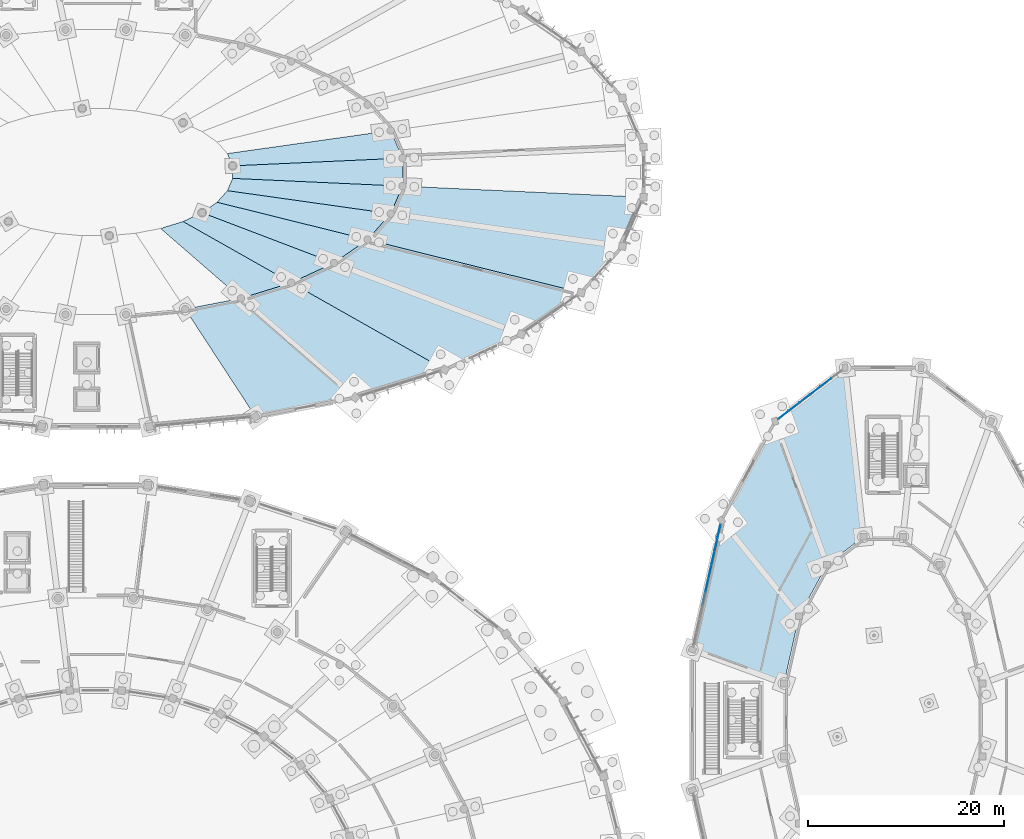
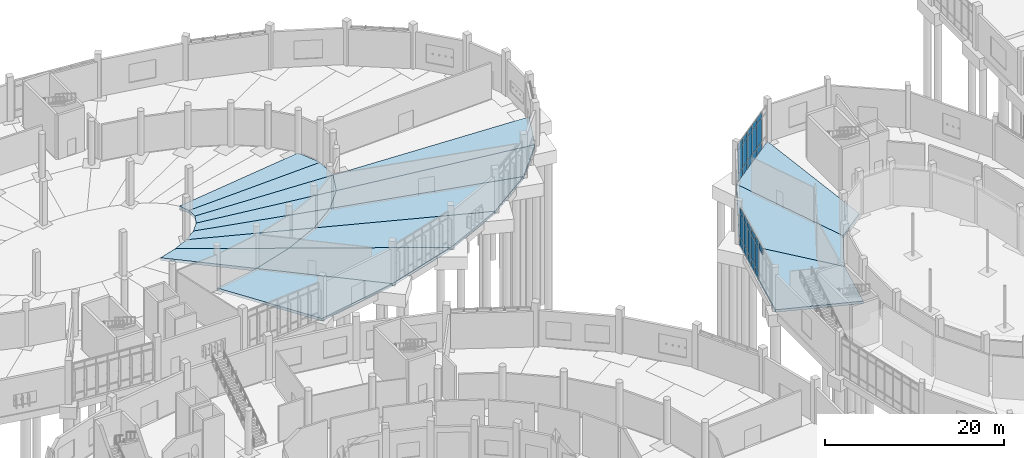
# One storey, part 68 of 140: 31 plates, 16 slabs, 2 elements without a shape of their own.
"""IFC4 building model written with IfcOpenShell, lengths in metres."""

from ifc_helpers import new_model, si_unit, direction, frame, origin, origin_2d, place, context, subcontext, project, spatial, polyline, rectangle, outline, extrude, material, layer, layer_set, type_object, element, aggregate, save


model = new_model("IFC4")

# Units and contexts
model_context = context("Model", 3, precision=1e-05, world=origin(), true_north=direction((0.0, 1.0)))
body_context = subcontext(model_context, "Body", "Model", "MODEL_VIEW")
ifc_project = project(units=[si_unit("LENGTHUNIT", "METRE"), si_unit("AREAUNIT", "SQUARE_METRE"), si_unit("VOLUMEUNIT", "CUBIC_METRE"), si_unit("PLANEANGLEUNIT", "RADIAN"), si_unit("MASSUNIT", "GRAM", prefix="KILO")], contexts=[model_context])

# Site, building, storey
site_placement = place(None, origin())
site = spatial("IfcSite", under=ifc_project, at=site_placement, CompositionType="ELEMENT")
building_placement = place(site_placement, origin())
building = spatial("IfcBuilding", under=site, at=building_placement, Name="Corvandel Quay Wholesale Market", CompositionType="ELEMENT")
storey_placement = place(building_placement, origin())
storey = spatial("IfcBuildingStorey", under=building, at=storey_placement, Name="L00", CompositionType="ELEMENT", Elevation=0.0)

# Curtain wall, plates
ifc_material_1 = material(Name="Bronze anodised aluminium and low-E insulated glazing", Category="aluminium")
ifc_layer_1 = layer(ifc_material_1, 0.162109375)
ifc_layer_set_1 = layer_set([ifc_layer_1], Name="Bronze anodised aluminium and low-E insulated glazing")
curtain_wall_type_1 = type_object("IfcCurtainWallType", Name="Stick Curtain Wall System CW06 H3540", PredefinedType="NOTDEFINED", material=ifc_layer_set_1)
curtain_wall_1_placement = place(storey_placement, origin())
curtain_wall_1 = element("IfcCurtainWall", 1, at=curtain_wall_1_placement, inside=storey, type_object=curtain_wall_type_1, Name="Curtain Wall CW-0133", PredefinedType="NOTDEFINED")
ifc_material_2 = material(Name="Solar-control low-E insulated glazing", Category="glass")
ifc_layer_2 = layer(ifc_material_2, 0.0400390625)
ifc_layer_set_2 = layer_set([ifc_layer_2], Name="Solar-control low-E insulated glazing")
plate_type_1 = type_object("IfcPlateType", Name="Ceramic Fritted Spandrel Panel PN03 40mm", PredefinedType="CURTAIN_PANEL", material=ifc_layer_set_2)
plate_1_placement = place(storey_placement, frame((188.67041015625, 94.50830078125, 4.33251953125), z_axis=(0.0, 0.0, 1.0), x_axis=(0.794308601354, 0.607514481979, 0.0)))
plate_1 = element("IfcPlate", 2, at=plate_1_placement, type_object=plate_type_1, Name="Glazing Panel CW-0133-P01-2", PredefinedType="CURTAIN_PANEL", context=body_context, shape_type="SweptSolid", body=[
    extrude(rectangle(XDim=1.305419921875, YDim=0.0400390625, at=origin_2d()), origin(), (0.0, 0.0, 1.0), 0.784912109375),
])
plate_2_placement = place(storey_placement, frame((187.581787109375, 93.67578125, 4.33251953125), z_axis=(0.0, 0.0, 1.0), x_axis=(0.794308601354, 0.607514481979, 0.0)))
plate_2 = element("IfcPlate", 3, at=plate_2_placement, type_object=plate_type_1, Name="Glazing Panel CW-0133-P02-2", PredefinedType="CURTAIN_PANEL", context=body_context, shape_type="SweptSolid", body=[
    extrude(rectangle(XDim=1.305419921875, YDim=0.0400390625, at=origin_2d()), origin(), (0.0, 0.0, 1.0), 0.784912109375),
])
plate_3_placement = place(storey_placement, frame((186.4931640625, 92.84326171875, 4.33251953125), z_axis=(0.0, 0.0, 1.0), x_axis=(0.794308601354, 0.607514481979, 0.0)))
plate_3 = element("IfcPlate", 4, at=plate_3_placement, type_object=plate_type_1, Name="Glazing Panel CW-0133-P03-2", PredefinedType="CURTAIN_PANEL", context=body_context, shape_type="SweptSolid", body=[
    extrude(rectangle(XDim=1.305419921875, YDim=0.0400390625, at=origin_2d()), origin(), (0.0, 0.0, 1.0), 0.784912109375),
])
plate_4_placement = place(storey_placement, frame((185.40478515625, 92.0107421875, 4.33251953125), z_axis=(0.0, 0.0, 1.0), x_axis=(0.794308601354, 0.607514481979, 0.0)))
plate_4 = element("IfcPlate", 5, at=plate_4_placement, type_object=plate_type_1, Name="Glazing Panel CW-0133-P04-2", PredefinedType="CURTAIN_PANEL", context=body_context, shape_type="SweptSolid", body=[
    extrude(rectangle(XDim=1.305419921875, YDim=0.0400390625, at=origin_2d()), origin(), (0.0, 0.0, 1.0), 0.784912109375),
])
plate_5_placement = place(storey_placement, frame((184.316162109375, 91.17822265625, 4.33251953125), z_axis=(0.0, 0.0, 1.0), x_axis=(0.794308601354, 0.607514481979, 0.0)))
plate_5 = element("IfcPlate", 6, at=plate_5_placement, type_object=plate_type_1, Name="Glazing Panel CW-0133-P05-2", PredefinedType="CURTAIN_PANEL", context=body_context, shape_type="SweptSolid", body=[
    extrude(rectangle(XDim=1.305419921875, YDim=0.0400390625, at=origin_2d()), origin(), (0.0, 0.0, 1.0), 0.784912109375),
])

ifc_layer_3 = layer(ifc_material_1, 0.18603515625)
ifc_layer_set_3 = layer_set([ifc_layer_3], Name="Bronze anodised aluminium and low-E insulated glazing")
curtain_wall_type_2 = type_object("IfcCurtainWallType", Name="Stick Curtain Wall System CW08 H3720", PredefinedType="NOTDEFINED", material=ifc_layer_set_3)
curtain_wall_2_placement = place(storey_placement, origin())
curtain_wall_2 = element("IfcCurtainWall", 7, at=curtain_wall_2_placement, inside=storey, type_object=curtain_wall_type_2, Name="Curtain Wall CW-0135", PredefinedType="NOTDEFINED")
plate_6_placement = place(storey_placement, frame((177.726318359375, 79.31005859375, 4.33251953125), z_axis=(0.0, 0.0, 1.0), x_axis=(0.218994806262, 0.975726024471, 0.0)))
plate_6 = element("IfcPlate", 8, at=plate_6_placement, type_object=plate_type_1, Name="Glazing Panel CW-0135-P00-2", PredefinedType="CURTAIN_PANEL", context=body_context, shape_type="SweptSolid", body=[
    extrude(rectangle(XDim=1.352783203125, YDim=0.0400390625, at=origin_2d()), origin(), (0.0, 0.0, 1.0), 0.784912109375),
])
plate_7_placement = place(storey_placement, frame((177.415771484375, 77.926513671875, 4.33251953125), z_axis=(0.0, 0.0, 1.0), x_axis=(0.218994806262, 0.975726024471, 0.0)))
plate_7 = element("IfcPlate", 9, at=plate_7_placement, type_object=plate_type_1, Name="Glazing Panel CW-0135-P01-2", PredefinedType="CURTAIN_PANEL", context=body_context, shape_type="SweptSolid", body=[
    extrude(rectangle(XDim=1.352783203125, YDim=0.0400390625, at=origin_2d()), origin(), (0.0, 0.0, 1.0), 0.784912109375),
])
plate_8_placement = place(storey_placement, frame((177.105224609375, 76.543212890625, 4.33251953125), z_axis=(0.0, 0.0, 1.0), x_axis=(0.218994806262, 0.975726024471, 0.0)))
plate_8 = element("IfcPlate", 10, at=plate_8_placement, type_object=plate_type_1, Name="Glazing Panel CW-0135-P02-2", PredefinedType="CURTAIN_PANEL", context=body_context, shape_type="SweptSolid", body=[
    extrude(rectangle(XDim=1.352783203125, YDim=0.0400390625, at=origin_2d()), origin(), (0.0, 0.0, 1.0), 0.784912109375),
])
plate_9_placement = place(storey_placement, frame((176.794921875, 75.159912109375, 4.33251953125), z_axis=(0.0, 0.0, 1.0), x_axis=(0.218994806262, 0.975726024471, 0.0)))
plate_9 = element("IfcPlate", 11, at=plate_9_placement, type_object=plate_type_1, Name="Glazing Panel CW-0135-P03-2", PredefinedType="CURTAIN_PANEL", context=body_context, shape_type="SweptSolid", body=[
    extrude(rectangle(XDim=1.352783203125, YDim=0.0400390625, at=origin_2d()), origin(), (0.0, 0.0, 1.0), 0.784912109375),
])
plate_10_placement = place(storey_placement, frame((176.484619140625, 73.776611328125, 4.33251953125), z_axis=(0.0, 0.0, 1.0), x_axis=(0.218994806262, 0.975726024471, 0.0)))
plate_10 = element("IfcPlate", 12, at=plate_10_placement, type_object=plate_type_1, Name="Glazing Panel CW-0135-P04-2", PredefinedType="CURTAIN_PANEL", context=body_context, shape_type="SweptSolid", body=[
    extrude(rectangle(XDim=1.352783203125, YDim=0.0400390625, at=origin_2d()), origin(), (0.0, 0.0, 1.0), 0.784912109375),
])
plate_11_placement = place(storey_placement, frame((176.174072265625, 72.39306640625, 4.33251953125), z_axis=(0.0, 0.0, 1.0), x_axis=(0.218994806262, 0.975726024471, 0.0)))
plate_11 = element("IfcPlate", 13, at=plate_11_placement, type_object=plate_type_1, Name="Glazing Panel CW-0135-P05-2", PredefinedType="CURTAIN_PANEL", context=body_context, shape_type="SweptSolid", body=[
    extrude(rectangle(XDim=1.352783203125, YDim=0.0400390625, at=origin_2d()), origin(), (0.0, 0.0, 1.0), 0.784912109375),
])

# Plate
ifc_layer_4 = layer(ifc_material_2, 0.028076171875)
ifc_layer_set_4 = layer_set([ifc_layer_4], Name="Solar-control low-E insulated glazing")
plate_type_2 = type_object("IfcPlateType", Name="Double Low-E Vision Panel PN01 28mm", PredefinedType="CURTAIN_PANEL", material=ifc_layer_set_4)
plate_12_placement = place(storey_placement, frame((188.67041015625, 94.50830078125, 0.0322265625), z_axis=(0.0, 0.0, 1.0), x_axis=(0.794308601354, 0.607514481979, 0.0)))
plate_12 = element("IfcPlate", 14, at=plate_12_placement, type_object=plate_type_2, Name="Glazing Panel CW-0133-P01-0", PredefinedType="CURTAIN_PANEL", context=body_context, shape_type="SweptSolid", body=[
    extrude(rectangle(XDim=1.305419921875, YDim=0.028076171875, at=origin_2d()), origin(), (0.0, 0.0, 1.0), 0.985107421875),
])

plate_13_placement = place(storey_placement, frame((188.67041015625, 94.50830078125, 1.08251953125), z_axis=(0.0, 0.0, 1.0), x_axis=(0.794308601354, 0.607514481979, 0.0)))
plate_13 = element("IfcPlate", 15, at=plate_13_placement, type_object=plate_type_2, Name="Glazing Panel CW-0133-P01-1", PredefinedType="CURTAIN_PANEL", context=body_context, shape_type="SweptSolid", body=[
    extrude(rectangle(XDim=1.305419921875, YDim=0.028076171875, at=origin_2d()), origin(), (0.0, 0.0, 1.0), 3.18505859375),
])

plate_14_placement = place(storey_placement, frame((187.581787109375, 93.67578125, 0.0322265625), z_axis=(0.0, 0.0, 1.0), x_axis=(0.794308601354, 0.607514481979, 0.0)))
plate_14 = element("IfcPlate", 16, at=plate_14_placement, type_object=plate_type_2, Name="Glazing Panel CW-0133-P02-0", PredefinedType="CURTAIN_PANEL", context=body_context, shape_type="SweptSolid", body=[
    extrude(rectangle(XDim=1.305419921875, YDim=0.028076171875, at=origin_2d()), origin(), (0.0, 0.0, 1.0), 0.985107421875),
])

plate_15_placement = place(storey_placement, frame((187.581787109375, 93.67578125, 1.08251953125), z_axis=(0.0, 0.0, 1.0), x_axis=(0.794308601354, 0.607514481979, 0.0)))
plate_15 = element("IfcPlate", 17, at=plate_15_placement, type_object=plate_type_2, Name="Glazing Panel CW-0133-P02-1", PredefinedType="CURTAIN_PANEL", context=body_context, shape_type="SweptSolid", body=[
    extrude(rectangle(XDim=1.305419921875, YDim=0.028076171875, at=origin_2d()), origin(), (0.0, 0.0, 1.0), 3.18505859375),
])

plate_16_placement = place(storey_placement, frame((186.4931640625, 92.84326171875, 0.0322265625), z_axis=(0.0, 0.0, 1.0), x_axis=(0.794308601354, 0.607514481979, 0.0)))
plate_16 = element("IfcPlate", 18, at=plate_16_placement, type_object=plate_type_2, Name="Glazing Panel CW-0133-P03-0", PredefinedType="CURTAIN_PANEL", context=body_context, shape_type="SweptSolid", body=[
    extrude(rectangle(XDim=1.305419921875, YDim=0.028076171875, at=origin_2d()), origin(), (0.0, 0.0, 1.0), 0.985107421875),
])

plate_17_placement = place(storey_placement, frame((186.4931640625, 92.84326171875, 1.08251953125), z_axis=(0.0, 0.0, 1.0), x_axis=(0.794308601354, 0.607514481979, 0.0)))
plate_17 = element("IfcPlate", 19, at=plate_17_placement, type_object=plate_type_2, Name="Glazing Panel CW-0133-P03-1", PredefinedType="CURTAIN_PANEL", context=body_context, shape_type="SweptSolid", body=[
    extrude(rectangle(XDim=1.305419921875, YDim=0.028076171875, at=origin_2d()), origin(), (0.0, 0.0, 1.0), 3.18505859375),
])

plate_18_placement = place(storey_placement, frame((185.40478515625, 92.0107421875, 0.0322265625), z_axis=(0.0, 0.0, 1.0), x_axis=(0.794308601354, 0.607514481979, 0.0)))
plate_18 = element("IfcPlate", 20, at=plate_18_placement, type_object=plate_type_2, Name="Glazing Panel CW-0133-P04-0", PredefinedType="CURTAIN_PANEL", context=body_context, shape_type="SweptSolid", body=[
    extrude(rectangle(XDim=1.305419921875, YDim=0.028076171875, at=origin_2d()), origin(), (0.0, 0.0, 1.0), 0.985107421875),
])

plate_19_placement = place(storey_placement, frame((185.40478515625, 92.0107421875, 1.08251953125), z_axis=(0.0, 0.0, 1.0), x_axis=(0.794308601354, 0.607514481979, 0.0)))
plate_19 = element("IfcPlate", 21, at=plate_19_placement, type_object=plate_type_2, Name="Glazing Panel CW-0133-P04-1", PredefinedType="CURTAIN_PANEL", context=body_context, shape_type="SweptSolid", body=[
    extrude(rectangle(XDim=1.305419921875, YDim=0.028076171875, at=origin_2d()), origin(), (0.0, 0.0, 1.0), 3.18505859375),
])

plate_20_placement = place(storey_placement, frame((184.316162109375, 91.17822265625, 0.0322265625), z_axis=(0.0, 0.0, 1.0), x_axis=(0.794308601354, 0.607514481979, 0.0)))
plate_20 = element("IfcPlate", 22, at=plate_20_placement, type_object=plate_type_2, Name="Glazing Panel CW-0133-P05-0", PredefinedType="CURTAIN_PANEL", context=body_context, shape_type="SweptSolid", body=[
    extrude(rectangle(XDim=1.305419921875, YDim=0.028076171875, at=origin_2d()), origin(), (0.0, 0.0, 1.0), 0.985107421875),
])

plate_21_placement = place(storey_placement, frame((184.316162109375, 91.17822265625, 1.08251953125), z_axis=(0.0, 0.0, 1.0), x_axis=(0.794308601354, 0.607514481979, 0.0)))
plate_21 = element("IfcPlate", 23, at=plate_21_placement, type_object=plate_type_2, Name="Glazing Panel CW-0133-P05-1", PredefinedType="CURTAIN_PANEL", context=body_context, shape_type="SweptSolid", body=[
    extrude(rectangle(XDim=1.305419921875, YDim=0.028076171875, at=origin_2d()), origin(), (0.0, 0.0, 1.0), 3.18505859375),
])

aggregate(curtain_wall_1, [plate_12, plate_13, plate_1, plate_14, plate_15, plate_2, plate_16, plate_17, plate_3, plate_18, plate_19, plate_4, plate_20, plate_21, plate_5])

plate_22_placement = place(storey_placement, frame((177.726318359375, 79.31005859375, 0.0322265625), z_axis=(0.0, 0.0, 1.0), x_axis=(0.218994806262, 0.975726024471, 0.0)))
plate_22 = element("IfcPlate", 24, at=plate_22_placement, type_object=plate_type_2, Name="Glazing Panel CW-0135-P00-0", PredefinedType="CURTAIN_PANEL", context=body_context, shape_type="SweptSolid", body=[
    extrude(rectangle(XDim=1.352783203125, YDim=0.028076171875, at=origin_2d()), origin(), (0.0, 0.0, 1.0), 0.985107421875),
])

plate_23_placement = place(storey_placement, frame((177.726318359375, 79.31005859375, 1.08251953125), z_axis=(0.0, 0.0, 1.0), x_axis=(0.218994806262, 0.975726024471, 0.0)))
plate_23 = element("IfcPlate", 25, at=plate_23_placement, type_object=plate_type_2, Name="Glazing Panel CW-0135-P00-1", PredefinedType="CURTAIN_PANEL", context=body_context, shape_type="SweptSolid", body=[
    extrude(rectangle(XDim=1.352783203125, YDim=0.028076171875, at=origin_2d()), origin(), (0.0, 0.0, 1.0), 3.18505859375),
])

plate_24_placement = place(storey_placement, frame((177.415771484375, 77.926513671875, 0.0322265625), z_axis=(0.0, 0.0, 1.0), x_axis=(0.218994806262, 0.975726024471, 0.0)))
plate_24 = element("IfcPlate", 26, at=plate_24_placement, type_object=plate_type_2, Name="Glazing Panel CW-0135-P01-0", PredefinedType="CURTAIN_PANEL", context=body_context, shape_type="SweptSolid", body=[
    extrude(rectangle(XDim=1.352783203125, YDim=0.028076171875, at=origin_2d()), origin(), (0.0, 0.0, 1.0), 0.985107421875),
])

plate_25_placement = place(storey_placement, frame((177.415771484375, 77.926513671875, 1.08251953125), z_axis=(0.0, 0.0, 1.0), x_axis=(0.218994806262, 0.975726024471, 0.0)))
plate_25 = element("IfcPlate", 27, at=plate_25_placement, type_object=plate_type_2, Name="Glazing Panel CW-0135-P01-1", PredefinedType="CURTAIN_PANEL", context=body_context, shape_type="SweptSolid", body=[
    extrude(rectangle(XDim=1.352783203125, YDim=0.028076171875, at=origin_2d()), origin(), (0.0, 0.0, 1.0), 3.18505859375),
])

plate_26_placement = place(storey_placement, frame((177.105224609375, 76.543212890625, 0.0322265625), z_axis=(0.0, 0.0, 1.0), x_axis=(0.218994806262, 0.975726024471, 0.0)))
plate_26 = element("IfcPlate", 28, at=plate_26_placement, type_object=plate_type_2, Name="Glazing Panel CW-0135-P02-0", PredefinedType="CURTAIN_PANEL", context=body_context, shape_type="SweptSolid", body=[
    extrude(rectangle(XDim=1.352783203125, YDim=0.028076171875, at=origin_2d()), origin(), (0.0, 0.0, 1.0), 0.985107421875),
])

plate_27_placement = place(storey_placement, frame((177.105224609375, 76.543212890625, 1.08251953125), z_axis=(0.0, 0.0, 1.0), x_axis=(0.218994806262, 0.975726024471, 0.0)))
plate_27 = element("IfcPlate", 29, at=plate_27_placement, type_object=plate_type_2, Name="Glazing Panel CW-0135-P02-1", PredefinedType="CURTAIN_PANEL", context=body_context, shape_type="SweptSolid", body=[
    extrude(rectangle(XDim=1.352783203125, YDim=0.028076171875, at=origin_2d()), origin(), (0.0, 0.0, 1.0), 3.18505859375),
])

plate_28_placement = place(storey_placement, frame((176.794921875, 75.159912109375, 0.0322265625), z_axis=(0.0, 0.0, 1.0), x_axis=(0.218994806262, 0.975726024471, 0.0)))
plate_28 = element("IfcPlate", 30, at=plate_28_placement, type_object=plate_type_2, Name="Glazing Panel CW-0135-P03-0", PredefinedType="CURTAIN_PANEL", context=body_context, shape_type="SweptSolid", body=[
    extrude(rectangle(XDim=1.352783203125, YDim=0.028076171875, at=origin_2d()), origin(), (0.0, 0.0, 1.0), 0.985107421875),
])

plate_29_placement = place(storey_placement, frame((176.794921875, 75.159912109375, 1.08251953125), z_axis=(0.0, 0.0, 1.0), x_axis=(0.218994806262, 0.975726024471, 0.0)))
plate_29 = element("IfcPlate", 31, at=plate_29_placement, type_object=plate_type_2, Name="Glazing Panel CW-0135-P03-1", PredefinedType="CURTAIN_PANEL", context=body_context, shape_type="SweptSolid", body=[
    extrude(rectangle(XDim=1.352783203125, YDim=0.028076171875, at=origin_2d()), origin(), (0.0, 0.0, 1.0), 3.18505859375),
])

plate_30_placement = place(storey_placement, frame((176.484619140625, 73.776611328125, 0.0322265625), z_axis=(0.0, 0.0, 1.0), x_axis=(0.218994806262, 0.975726024471, 0.0)))
plate_30 = element("IfcPlate", 32, at=plate_30_placement, type_object=plate_type_2, Name="Glazing Panel CW-0135-P04-0", PredefinedType="CURTAIN_PANEL", context=body_context, shape_type="SweptSolid", body=[
    extrude(rectangle(XDim=1.352783203125, YDim=0.028076171875, at=origin_2d()), origin(), (0.0, 0.0, 1.0), 0.985107421875),
])

plate_31_placement = place(storey_placement, frame((176.484619140625, 73.776611328125, 1.08251953125), z_axis=(0.0, 0.0, 1.0), x_axis=(0.218994806262, 0.975726024471, 0.0)))
plate_31 = element("IfcPlate", 33, at=plate_31_placement, type_object=plate_type_2, Name="Glazing Panel CW-0135-P04-1", PredefinedType="CURTAIN_PANEL", context=body_context, shape_type="SweptSolid", body=[
    extrude(rectangle(XDim=1.352783203125, YDim=0.028076171875, at=origin_2d()), origin(), (0.0, 0.0, 1.0), 3.18505859375),
])

aggregate(curtain_wall_2, [plate_22, plate_23, plate_6, plate_24, plate_25, plate_7, plate_26, plate_27, plate_8, plate_28, plate_29, plate_9, plate_30, plate_31, plate_10, plate_11])

# Slabs
ifc_material_3 = material(Name="Concrete C40/50", Category="concrete")
ifc_layer_5 = layer(ifc_material_3, 0.35009765625)
ifc_layer_set_5 = layer_set([ifc_layer_5], Name="Concrete C40/50")
slab_type_1 = type_object("IfcSlabType", Name="Ground Bearing Base Slab 350", PredefinedType="BASESLAB", material=ifc_layer_set_5)
slab_1_placement = place(storey_placement, frame((0.0, 0.0, -0.35009765625)))
element("IfcSlab", 34, at=slab_1_placement, inside=storey, type_object=slab_type_1, Name="Slab SLB-0399", PredefinedType="BASESLAB", context=body_context, shape_type="SweptSolid", body=[
    extrude(outline(polyline([(190.62109375, 96.0), (183.4541015625, 90.51904296875), (188.756103515625, 75.8701171875), (192.48291015625, 78.719970703125), (190.62109375, 96.0)])), origin(), (0.0, 0.0, 1.0), 0.35009765625),
])
slab_2_placement = place(storey_placement, frame((0.0, 0.0, -0.35009765625)))
element("IfcSlab", 35, at=slab_2_placement, inside=storey, type_object=slab_type_1, Name="Slab SLB-0403", PredefinedType="BASESLAB", context=body_context, shape_type="SweptSolid", body=[
    extrude(outline(polyline([(183.4541015625, 90.51904296875), (177.968994140625, 80.39208984375), (185.904052734375, 70.60400390625), (188.756103515625, 75.8701171875), (183.4541015625, 90.51904296875)])), origin(), (0.0, 0.0, 1.0), 0.35009765625),
])
slab_3_placement = place(storey_placement, frame((0.0, 0.0, -0.35009765625)))
element("IfcSlab", 36, at=slab_3_placement, inside=storey, type_object=slab_type_1, Name="Slab SLB-0407", PredefinedType="BASESLAB", context=body_context, shape_type="SweptSolid", body=[
    extrude(outline(polyline([(177.968994140625, 80.39208984375), (175.0, 67.160888671875), (184.360107421875, 63.72412109375), (185.904052734375, 70.60400390625), (177.968994140625, 80.39208984375)])), origin(), (0.0, 0.0, 1.0), 0.35009765625),
])
ifc_layer_6 = layer(ifc_material_3, 0.3798828125)
ifc_layer_set_6 = layer_set([ifc_layer_6], Name="Concrete C40/50")
slab_type_2 = type_object("IfcSlabType", Name="Ground Bearing Fish Hall Slab 380", PredefinedType="BASESLAB", material=ifc_layer_set_6)
slab_4_placement = place(storey_placement, frame((0.0, 0.0, -0.3798828125)))
element("IfcSlab", 37, at=slab_4_placement, inside=storey, type_object=slab_type_2, Name="Slab SLB-0211", PredefinedType="BASESLAB", context=body_context, shape_type="SweptSolid", body=[
    extrude(outline(polyline([(145.360107421875, 117.43408203125), (144.155029296875, 120.2470703125), (127.4619140625, 117.89599609375), (128.0, 116.639892578125), (145.360107421875, 117.43408203125)])), origin(), (0.0, 0.0, 1.0), 0.3798828125),
])
slab_5_placement = place(storey_placement, frame((0.0, 0.0, -0.3798828125)))
element("IfcSlab", 38, at=slab_5_placement, inside=storey, type_object=slab_type_2, Name="Slab SLB-0348", PredefinedType="BASESLAB", context=body_context, shape_type="SweptSolid", body=[
    extrude(outline(polyline([(130.3349609375, 90.9990234375), (140.52587890625, 92.958984375), (128.85498046875, 103.096923828125), (123.14697265625, 102.0), (130.3349609375, 90.9990234375)])), origin(), (0.0, 0.0, 1.0), 0.3798828125),
])
slab_6_placement = place(storey_placement, frame((0.0, 0.0, -0.3798828125)))
element("IfcSlab", 39, at=slab_6_placement, inside=storey, type_object=slab_type_2, Name="Slab SLB-0354", PredefinedType="BASESLAB", context=body_context, shape_type="SweptSolid", body=[
    extrude(outline(polyline([(140.52587890625, 92.958984375), (149.697998046875, 95.803955078125), (133.990966796875, 104.69091796875), (128.85498046875, 103.096923828125), (140.52587890625, 92.958984375)])), origin(), (0.0, 0.0, 1.0), 0.3798828125),
])
slab_7_placement = place(storey_placement, frame((0.0, 0.0, -0.3798828125)))
element("IfcSlab", 40, at=slab_7_placement, inside=storey, type_object=slab_type_2, Name="Slab SLB-0355", PredefinedType="BASESLAB", context=body_context, shape_type="SweptSolid", body=[
    extrude(outline(polyline([(128.85498046875, 103.096923828125), (133.990966796875, 104.69091796875), (122.924072265625, 110.950927734375), (120.631103515625, 110.239990234375), (128.85498046875, 103.096923828125)])), origin(), (0.0, 0.0, 1.0), 0.3798828125),
])
slab_8_placement = place(storey_placement, frame((0.0, 0.0, -0.3798828125)))
element("IfcSlab", 41, at=slab_8_placement, inside=storey, type_object=slab_type_2, Name="Slab SLB-0360", PredefinedType="BASESLAB", context=body_context, shape_type="SweptSolid", body=[
    extrude(outline(polyline([(149.697998046875, 95.803955078125), (157.498046875, 99.426025390625), (138.35888671875, 106.718994140625), (133.990966796875, 104.69091796875), (149.697998046875, 95.803955078125)])), origin(), (0.0, 0.0, 1.0), 0.3798828125),
])
slab_9_placement = place(storey_placement, frame((0.0, 0.0, -0.3798828125)))
element("IfcSlab", 42, at=slab_9_placement, inside=storey, type_object=slab_type_2, Name="Slab SLB-0361", PredefinedType="BASESLAB", context=body_context, shape_type="SweptSolid", body=[
    extrude(outline(polyline([(133.990966796875, 104.69091796875), (138.35888671875, 106.718994140625), (124.875, 111.85595703125), (122.924072265625, 110.950927734375), (133.990966796875, 104.69091796875)])), origin(), (0.0, 0.0, 1.0), 0.3798828125),
])
slab_10_placement = place(storey_placement, frame((0.0, 0.0, -0.3798828125)))
element("IfcSlab", 43, at=slab_10_placement, inside=storey, type_object=slab_type_2, Name="Slab SLB-0364", PredefinedType="BASESLAB", context=body_context, shape_type="SweptSolid", body=[
    extrude(outline(polyline([(157.498046875, 99.426025390625), (163.626953125, 103.68408203125), (141.791015625, 109.10302734375), (138.35888671875, 106.718994140625), (157.498046875, 99.426025390625)])), origin(), (0.0, 0.0, 1.0), 0.3798828125),
])
slab_11_placement = place(storey_placement, frame((0.0, 0.0, -0.3798828125)))
element("IfcSlab", 44, at=slab_11_placement, inside=storey, type_object=slab_type_2, Name="Slab SLB-0365", PredefinedType="BASESLAB", context=body_context, shape_type="SweptSolid", body=[
    extrude(outline(polyline([(138.35888671875, 106.718994140625), (141.791015625, 109.10302734375), (126.406982421875, 112.9208984375), (124.875, 111.85595703125), (138.35888671875, 106.718994140625)])), origin(), (0.0, 0.0, 1.0), 0.3798828125),
])
slab_12_placement = place(storey_placement, frame((0.0, 0.0, -0.3798828125)))
element("IfcSlab", 45, at=slab_12_placement, inside=storey, type_object=slab_type_2, Name="Slab SLB-0368", PredefinedType="BASESLAB", context=body_context, shape_type="SweptSolid", body=[
    extrude(outline(polyline([(163.626953125, 103.68408203125), (167.847900390625, 108.416015625), (144.155029296875, 111.7529296875), (141.791015625, 109.10302734375), (163.626953125, 103.68408203125)])), origin(), (0.0, 0.0, 1.0), 0.3798828125),
])
slab_13_placement = place(storey_placement, frame((0.0, 0.0, -0.3798828125)))
element("IfcSlab", 46, at=slab_13_placement, inside=storey, type_object=slab_type_2, Name="Slab SLB-0369", PredefinedType="BASESLAB", context=body_context, shape_type="SweptSolid", body=[
    extrude(outline(polyline([(141.791015625, 109.10302734375), (144.155029296875, 111.7529296875), (127.4619140625, 114.10400390625), (126.406982421875, 112.9208984375), (141.791015625, 109.10302734375)])), origin(), (0.0, 0.0, 1.0), 0.3798828125),
])
slab_14_placement = place(storey_placement, frame((0.0, 0.0, -0.3798828125)))
element("IfcSlab", 47, at=slab_14_placement, inside=storey, type_object=slab_type_2, Name="Slab SLB-0372", PredefinedType="BASESLAB", context=body_context, shape_type="SweptSolid", body=[
    extrude(outline(polyline([(167.847900390625, 108.416015625), (170.0, 113.43896484375), (145.360107421875, 114.56591796875), (144.155029296875, 111.7529296875), (167.847900390625, 108.416015625)])), origin(), (0.0, 0.0, 1.0), 0.3798828125),
])
slab_15_placement = place(storey_placement, frame((0.0, 0.0, -0.3798828125)))
element("IfcSlab", 48, at=slab_15_placement, inside=storey, type_object=slab_type_2, Name="Slab SLB-0373", PredefinedType="BASESLAB", context=body_context, shape_type="SweptSolid", body=[
    extrude(outline(polyline([(144.155029296875, 111.7529296875), (145.360107421875, 114.56591796875), (128.0, 115.360107421875), (127.4619140625, 114.10400390625), (144.155029296875, 111.7529296875)])), origin(), (0.0, 0.0, 1.0), 0.3798828125),
])
slab_16_placement = place(storey_placement, frame((0.0, 0.0, -0.3798828125)))
element("IfcSlab", 49, at=slab_16_placement, inside=storey, type_object=slab_type_2, Name="Slab SLB-0377", PredefinedType="BASESLAB", context=body_context, shape_type="SweptSolid", body=[
    extrude(outline(polyline([(145.360107421875, 114.56591796875), (145.360107421875, 117.43408203125), (128.0, 116.639892578125), (128.0, 115.360107421875), (145.360107421875, 114.56591796875)])), origin(), (0.0, 0.0, 1.0), 0.3798828125),
])

save(model, "model.ifc")
